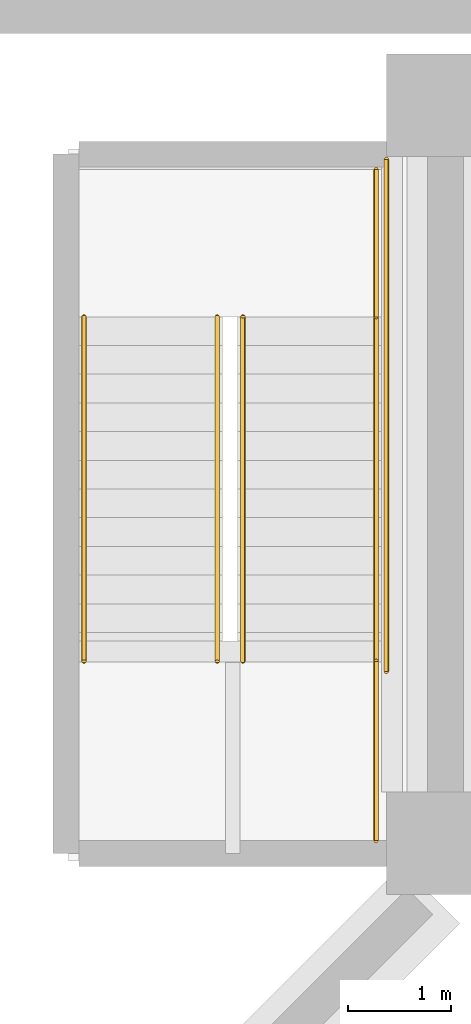
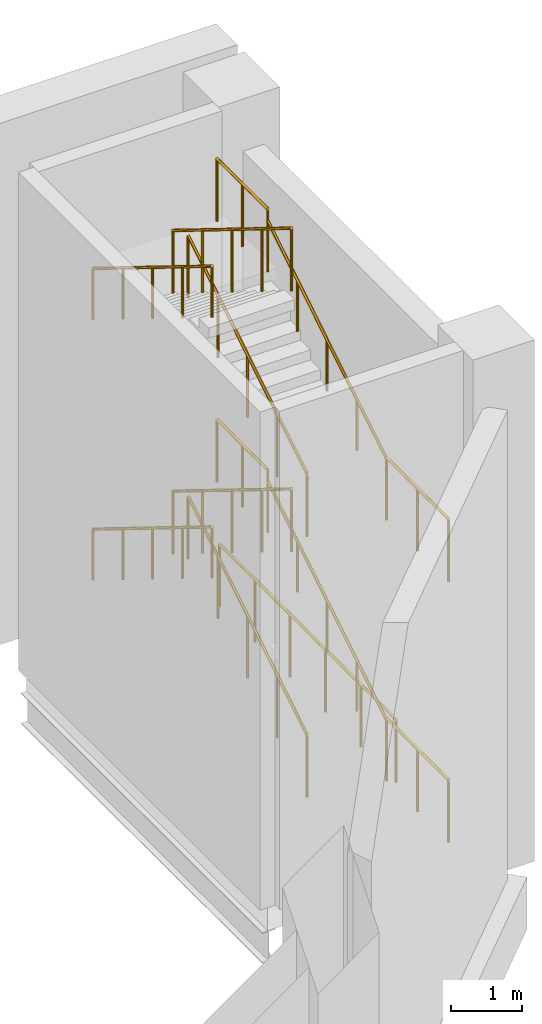
# One storey, part 21 of 23: 13 railings.
"""IFC4 building model written with IfcOpenShell, lengths in metres."""

import ifcopenshell
import ifcopenshell.guid

model = None  # the IFC model being written
_history = None  # IfcOwnerHistory: only IFC2X3 demands one
_inside = {}  # id of a spatial element -> (the spatial element, [elements in it])
_under = {}  # id of a project, library or spatial element -> (it, [spatial elements below it])
_declared = {}  # id of a project -> (the project, [libraries it declares])
_typed = {}  # id of a type object -> (the type object, [elements of that type])
_made_of = {}  # id of a material, layer set ... -> (it, [elements and type objects made of it])


def new_model(schema):
    """Start an empty IFC model of exactly this schema.

    Asked for "IFC4X3", IfcOpenShell would pick the latest addendum, in which some entities
    have other attributes; the version numbers below select the first issue.
    IFC2X3 requires an IfcOwnerHistory on every rooted entity: one is made here for all.
    """
    global model, _history
    if schema == "IFC4X3":
        model = ifcopenshell.file(schema_version=(4, 3, 0, 0))
    else:
        model = ifcopenshell.file(schema=schema)
    _inside.clear()
    _under.clear()
    _declared.clear()
    _typed.clear()
    _made_of.clear()
    _history = None
    if model.schema == "IFC2X3":
        org = make("IfcOrganization", Name="unknown")
        user = make(
            "IfcPersonAndOrganization",
            ThePerson=make("IfcPerson", FamilyName="unknown"),
            TheOrganization=org,
        )
        app = make(
            "IfcApplication",
            ApplicationDeveloper=org,
            Version="unknown",
            ApplicationFullName="unknown",
            ApplicationIdentifier="unknown",
        )
        _history = make(
            "IfcOwnerHistory",
            OwningUser=user,
            OwningApplication=app,
            ChangeAction="ADDED",
            CreationDate=0,
        )
    return model


def make(cls, **values):
    """One entity of the class cls with the attributes given. An attribute that is None is left unset."""
    return model.create_entity(
        cls, **{name: value for name, value in values.items() if value is not None}
    )


def rooted(cls, **values):
    """An entity with a GlobalId (a new one), such as an element, a storey or a relation."""
    return make(cls, GlobalId=ifcopenshell.guid.new(), OwnerHistory=_history, **values)


def si_unit(unit_type, name, prefix=None):
    """IfcSIUnit, for example si_unit("LENGTHUNIT", "METRE", prefix="MILLI")."""
    return make("IfcSIUnit", UnitType=unit_type, Prefix=prefix, Name=name)


def assignment(units):
    """IfcUnitAssignment: the units of a project."""
    return None if units is None else make("IfcUnitAssignment", Units=units)


def point(xyz):
    """IfcCartesianPoint."""
    return None if xyz is None else make("IfcCartesianPoint", Coordinates=xyz)


def direction(xyz):
    """IfcDirection."""
    return None if xyz is None else make("IfcDirection", DirectionRatios=xyz)


def frame(location, z_axis=None, x_axis=None):
    """IfcAxis2Placement3D, a coordinate frame: its origin and axes. An axis left out is left unset."""
    return make(
        "IfcAxis2Placement3D",
        Location=point(location),
        Axis=direction(z_axis),
        RefDirection=direction(x_axis),
    )


def frame_2d(location, x_axis=None):
    """IfcAxis2Placement2D, a coordinate frame in the plane: its origin and x axis."""
    return make(
        "IfcAxis2Placement2D", Location=point(location), RefDirection=direction(x_axis)
    )


def origin():
    """The frame at (0, 0, 0) with its axes left unset."""
    return frame((0.0, 0.0, 0.0))


def origin_2d():
    """The frame at (0, 0) in the plane with its x axis left unset."""
    return frame_2d((0.0, 0.0))


def place(relative_to, where):
    """IfcLocalPlacement: puts the frame where relative to a parent placement (None: the world)."""
    return make(
        "IfcLocalPlacement", PlacementRelTo=relative_to, RelativePlacement=where
    )


def context(
    kind, dimensions, precision=None, world=None, true_north=None, identifier=None
):
    """IfcGeometricRepresentationContext, for example the 3D "Model" context."""
    return make(
        "IfcGeometricRepresentationContext",
        ContextIdentifier=identifier,
        ContextType=kind,
        CoordinateSpaceDimension=dimensions,
        Precision=precision,
        WorldCoordinateSystem=world,
        TrueNorth=true_north,
    )


def subcontext(parent, identifier, kind, view, scale=None):
    """IfcGeometricRepresentationSubContext, for example "Body" below "Model"."""
    return make(
        "IfcGeometricRepresentationSubContext",
        ContextIdentifier=identifier,
        ContextType=kind,
        ParentContext=parent,
        TargetScale=scale,
        TargetView=view,
    )


def project(units=None, contexts=None):
    """IfcProject with its units and contexts."""
    return rooted(
        "IfcProject",
        Name="project",
        RepresentationContexts=contexts,
        UnitsInContext=assignment(units),
    )


def spatial(cls, under=None, at=None, **own):
    """A site, building, storey or space (cls), placed at a placement, below another one or the project."""
    s = rooted(cls, ObjectPlacement=at, **own)
    if under is not None:
        _under.setdefault(under.id(), (under, []))[1].append(s)
    return s


def profile(cls, at=None, kind="AREA", **sizes):
    """A parametric profile (cls). Its sizes go by their IFC names, for example OverallWidth=200.0."""
    return make(cls, ProfileType=kind, Position=at, **sizes)


def circle(**sizes):
    """IfcCircleProfileDef."""
    return profile("IfcCircleProfileDef", **sizes)


def extrude(swept, where, along, depth):
    """IfcExtrudedAreaSolid: the profile swept, set in the frame where, extruded along a direction by depth."""
    return make(
        "IfcExtrudedAreaSolid",
        SweptArea=swept,
        Position=where,
        ExtrudedDirection=direction(along),
        Depth=depth,
    )


def shape(context_of_items, identifier, shape_type, items):
    """IfcShapeRepresentation: the items that make up one representation, for example the "Body"."""
    return make(
        "IfcShapeRepresentation",
        ContextOfItems=context_of_items,
        RepresentationIdentifier=identifier,
        RepresentationType=shape_type,
        Items=items,
    )


def material(Name=None, Category=None):
    """IfcMaterial."""
    return make("IfcMaterial", Name=Name, Category=Category)


def made_of(thing, what):
    """Note that an element or type object is made of a material, layer set ...; save() writes the relation."""
    if what is not None:
        _made_of.setdefault(what.id(), (what, []))[1].append(thing)
    return thing


def type_object(cls, material=None, **own):
    """A type object (cls), such as IfcWallType, which elements share."""
    return made_of(rooted(cls, **own), material)


def element(
    cls,
    number,
    at=None,
    inside=None,
    cuts=None,
    type_object=None,
    material=None,
    context=None,
    identifier="Body",
    shape_type=None,
    held_by="IfcProductDefinitionShape",
    body=None,
    shapes=None,
    **own,
):
    """One element of the class cls, such as IfcWall. Its Tag is "e" and its number.

    at: its placement. inside: the storey or other place that contains it. cuts: it is an
    opening in that element (IfcRelVoidsElement). A single representation is given by context,
    identifier, shape_type and body (its items); several are given by shapes. held_by: the class
    of the entity that holds the representations. save() writes the other relations.
    """
    e = rooted(cls, Tag="e%d" % number, ObjectPlacement=at, **own)
    if body is not None:
        shapes = [shape(context, identifier, shape_type, body)]
    if shapes is not None:
        e.Representation = make(held_by, Representations=shapes)
    if inside is not None:
        _inside.setdefault(inside.id(), (inside, []))[1].append(e)
    if cuts is not None:
        rooted(
            "IfcRelVoidsElement", RelatingBuildingElement=cuts, RelatedOpeningElement=e
        )
    if type_object is not None:
        _typed.setdefault(type_object.id(), (type_object, []))[1].append(e)
    return made_of(e, material)


def aggregate(whole, parts):
    """IfcRelAggregates: a whole, such as a stair, and the parts it consists of."""
    return rooted("IfcRelAggregates", RelatingObject=whole, RelatedObjects=parts)


def save(model, path):
    """Write the relations noted so far, then the file.

    IfcRelAggregates (storeys below a building ...), IfcRelContainedInSpatialStructure (elements
    in a storey), IfcRelDefinesByType, IfcRelAssociatesMaterial and IfcRelDeclares: one each for
    every whole, place, type object, material and project.
    """
    for whole, parts in _under.values():
        aggregate(whole, parts)
    for where, things in _inside.values():
        rooted(
            "IfcRelContainedInSpatialStructure",
            RelatedElements=things,
            RelatingStructure=where,
        )
    for kind, things in _typed.values():
        rooted("IfcRelDefinesByType", RelatedObjects=things, RelatingType=kind)
    for what, things in _made_of.values():
        rooted("IfcRelAssociatesMaterial", RelatedObjects=things, RelatingMaterial=what)
    for by, libraries in _declared.values():
        rooted("IfcRelDeclares", RelatingContext=by, RelatedDefinitions=libraries)
    model.write(path)


model = new_model("IFC4")

# Units and contexts
model_context = context("Model", 3, precision=1e-05, world=origin(), true_north=direction((0.0, 1.0)))
body_context = subcontext(model_context, "Body", "Model", "MODEL_VIEW")
ifc_project = project(units=[si_unit("LENGTHUNIT", "METRE"), si_unit("AREAUNIT", "SQUARE_METRE"), si_unit("VOLUMEUNIT", "CUBIC_METRE"), si_unit("PLANEANGLEUNIT", "RADIAN"), si_unit("MASSUNIT", "GRAM", prefix="KILO")], contexts=[model_context])

# Site, building, storey
site_placement = place(None, origin())
site = spatial("IfcSite", under=ifc_project, at=site_placement, CompositionType="ELEMENT")
building_placement = place(site_placement, origin())
building = spatial("IfcBuilding", under=site, at=building_placement, Name="Isthmus Gate Tower", CompositionType="ELEMENT")
storey_placement = place(building_placement, frame((0.0, 0.0, 9.0)))
storey = spatial("IfcBuildingStorey", under=building, at=storey_placement, Name="L01", CompositionType="ELEMENT", Elevation=9.0)

# Railings
ifc_material_1 = material(Name="Painted steel balusters with timber handrail", Category="steel")
railing_type_1 = type_object("IfcRailingType", Name="Podium stair guard 1100", PredefinedType="GUARDRAIL", material=ifc_material_1)
railing_1_placement = place(storey_placement, frame((49.60009765625, -32.72509765625, 0.173095703125)))
element("IfcRailing", 1, at=railing_1_placement, inside=storey, type_object=railing_type_1, Name="L01 ST4 stair guard 1", PredefinedType="GUARDRAIL", context=body_context, shape_type="SweptSolid", body=[
    extrude(circle(Radius=0.02392578125, at=origin_2d()), frame((0.0, 0.0, 1.076171875), z_axis=(0.0, 0.850623216509, 0.525775754039), x_axis=(-1.0, 0.0, 0.0)), (0.0, 0.0, 1.0), 3.9501953125),
    extrude(circle(Radius=0.02099609375, at=origin_2d()), origin(), (0.0, 0.0, 1.0), 1.052001953125),
    extrude(circle(Radius=0.02099609375, at=origin_2d()), frame((0.0, 0.840087890625, 0.519287109375)), (0.0, 0.0, 1.0), 1.052001953125),
    extrude(circle(Radius=0.02099609375, at=origin_2d()), frame((0.0, 1.68017578125, 1.03857421875)), (0.0, 0.0, 1.0), 1.052001953125),
    extrude(circle(Radius=0.02099609375, at=origin_2d()), frame((0.0, 2.52001953125, 1.5576171875)), (0.0, 0.0, 1.0), 1.052001953125),
    extrude(circle(Radius=0.02099609375, at=origin_2d()), frame((0.0, 3.360107421875, 2.076904296875)), (0.0, 0.0, 1.0), 1.052001953125),
])
railing_2_placement = place(storey_placement, frame((50.89990234375, -29.364990234375, 2.25)))
element("IfcRailing", 2, at=railing_2_placement, inside=storey, type_object=railing_type_1, Name="L01 ST4 stair guard 2", PredefinedType="GUARDRAIL", context=body_context, shape_type="SweptSolid", body=[
    extrude(circle(Radius=0.02392578125, at=origin_2d()), frame((0.0, 0.0, 1.076171875), z_axis=(0.0, 1.0, 0.0), x_axis=(-1.0, 0.0, 0.0)), (0.0, 0.0, 1.0), 1.43603515625),
    extrude(circle(Radius=0.02099609375, at=origin_2d()), origin(), (0.0, 0.0, 1.0), 1.052001953125),
    extrude(circle(Radius=0.02099609375, at=origin_2d()), frame((0.0, 0.718017578125, 0.0)), (0.0, 0.0, 1.0), 1.052001953125),
    extrude(circle(Radius=0.02099609375, at=origin_2d()), frame((0.0, 1.43603515625, 0.0)), (0.0, 0.0, 1.0), 1.052001953125),
])
railing_3_placement = place(storey_placement, frame((49.35009765625, -29.364990234375, 2.423095703125)))
element("IfcRailing", 3, at=railing_3_placement, inside=storey, type_object=railing_type_1, Name="L01 ST4 stair guard 3", PredefinedType="GUARDRAIL", context=body_context, shape_type="SweptSolid", body=[
    extrude(circle(Radius=0.02392578125, at=origin_2d()), frame((0.0, 0.0, 1.076171875), z_axis=(0.0, -0.850623216509, 0.525775754039), x_axis=(1.0, 0.0, 0.0)), (0.0, 0.0, 1.0), 3.9501953125),
    extrude(circle(Radius=0.02099609375, at=origin_2d()), origin(), (0.0, 0.0, 1.0), 1.052001953125),
    extrude(circle(Radius=0.02099609375, at=origin_2d()), frame((0.0, -0.840087890625, 0.519287109375)), (0.0, 0.0, 1.0), 1.052001953125),
    extrude(circle(Radius=0.02099609375, at=origin_2d()), frame((0.0, -1.68017578125, 1.03857421875)), (0.0, 0.0, 1.0), 1.052001953125),
    extrude(circle(Radius=0.02099609375, at=origin_2d()), frame((0.0, -2.52001953125, 1.5576171875)), (0.0, 0.0, 1.0), 1.052001953125),
    extrude(circle(Radius=0.02099609375, at=origin_2d()), frame((0.0, -3.360107421875, 2.076904296875)), (0.0, 0.0, 1.0), 1.052001953125),
])
railing_4_placement = place(storey_placement, frame((50.89990234375, -34.47509765625, 4.5)))
element("IfcRailing", 4, at=railing_4_placement, inside=storey, type_object=railing_type_1, Name="L01 ST4 stair guard 4", PredefinedType="GUARDRAIL", context=body_context, shape_type="SweptSolid", body=[
    extrude(circle(Radius=0.02392578125, at=origin_2d()), frame((0.0, 0.0, 1.076171875), z_axis=(0.0, 1.0, 0.0), x_axis=(-1.0, 0.0, 0.0)), (0.0, 0.0, 1.0), 1.75),
    extrude(circle(Radius=0.02099609375, at=origin_2d()), origin(), (0.0, 0.0, 1.0), 1.052001953125),
    extrude(circle(Radius=0.02099609375, at=origin_2d()), frame((0.0, 0.875, 0.0)), (0.0, 0.0, 1.0), 1.052001953125),
    extrude(circle(Radius=0.02099609375, at=origin_2d()), frame((0.0, 1.75, 0.0)), (0.0, 0.0, 1.0), 1.052001953125),
])
railing_5_placement = place(storey_placement, frame((49.60009765625, -32.72509765625, 4.673095703125)))
element("IfcRailing", 5, at=railing_5_placement, inside=storey, type_object=railing_type_1, Name="L01 ST4 stair guard 5", PredefinedType="GUARDRAIL", context=body_context, shape_type="SweptSolid", body=[
    extrude(circle(Radius=0.02392578125, at=origin_2d()), frame((0.0, 0.0, 1.076171875), z_axis=(0.0, 0.850623216509, 0.525775754039), x_axis=(-1.0, 0.0, 0.0)), (0.0, 0.0, 1.0), 3.9501953125),
    extrude(circle(Radius=0.02099609375, at=origin_2d()), origin(), (0.0, 0.0, 1.0), 1.052001953125),
    extrude(circle(Radius=0.02099609375, at=origin_2d()), frame((0.0, 0.840087890625, 0.519287109375)), (0.0, 0.0, 1.0), 1.052001953125),
    extrude(circle(Radius=0.02099609375, at=origin_2d()), frame((0.0, 1.68017578125, 1.03857421875)), (0.0, 0.0, 1.0), 1.052001953125),
    extrude(circle(Radius=0.02099609375, at=origin_2d()), frame((0.0, 2.52001953125, 1.5576171875)), (0.0, 0.0, 1.0), 1.052001953125),
    extrude(circle(Radius=0.02099609375, at=origin_2d()), frame((0.0, 3.360107421875, 2.076904296875)), (0.0, 0.0, 1.0), 1.052001953125),
])
railing_6_placement = place(storey_placement, frame((50.89990234375, -29.364990234375, 6.75)))
element("IfcRailing", 6, at=railing_6_placement, inside=storey, type_object=railing_type_1, Name="L01 ST4 stair guard 6", PredefinedType="GUARDRAIL", context=body_context, shape_type="SweptSolid", body=[
    extrude(circle(Radius=0.02392578125, at=origin_2d()), frame((0.0, 0.0, 1.076171875), z_axis=(0.0, 1.0, 0.0), x_axis=(-1.0, 0.0, 0.0)), (0.0, 0.0, 1.0), 1.43603515625),
    extrude(circle(Radius=0.02099609375, at=origin_2d()), origin(), (0.0, 0.0, 1.0), 1.052001953125),
    extrude(circle(Radius=0.02099609375, at=origin_2d()), frame((0.0, 0.718017578125, 0.0)), (0.0, 0.0, 1.0), 1.052001953125),
    extrude(circle(Radius=0.02099609375, at=origin_2d()), frame((0.0, 1.43603515625, 0.0)), (0.0, 0.0, 1.0), 1.052001953125),
])
railing_7_placement = place(storey_placement, frame((49.35009765625, -29.364990234375, 6.923095703125)))
element("IfcRailing", 7, at=railing_7_placement, inside=storey, type_object=railing_type_1, Name="L01 ST4 stair guard 7", PredefinedType="GUARDRAIL", context=body_context, shape_type="SweptSolid", body=[
    extrude(circle(Radius=0.02392578125, at=origin_2d()), frame((0.0, 0.0, 1.076171875), z_axis=(0.0, -0.850623216509, 0.525775754039), x_axis=(1.0, 0.0, 0.0)), (0.0, 0.0, 1.0), 3.9501953125),
    extrude(circle(Radius=0.02099609375, at=origin_2d()), origin(), (0.0, 0.0, 1.0), 1.052001953125),
    extrude(circle(Radius=0.02099609375, at=origin_2d()), frame((0.0, -0.840087890625, 0.519287109375)), (0.0, 0.0, 1.0), 1.052001953125),
    extrude(circle(Radius=0.02099609375, at=origin_2d()), frame((0.0, -1.68017578125, 1.03857421875)), (0.0, 0.0, 1.0), 1.052001953125),
    extrude(circle(Radius=0.02099609375, at=origin_2d()), frame((0.0, -2.52001953125, 1.5576171875)), (0.0, 0.0, 1.0), 1.052001953125),
    extrude(circle(Radius=0.02099609375, at=origin_2d()), frame((0.0, -3.360107421875, 2.076904296875)), (0.0, 0.0, 1.0), 1.052001953125),
])
railing_8_placement = place(storey_placement, frame((50.89990234375, -34.47509765625, 0.0)))
element("IfcRailing", 8, at=railing_8_placement, inside=storey, type_object=railing_type_1, Name="L01 ST4 stair guard 8", PredefinedType="GUARDRAIL", context=body_context, shape_type="SweptSolid", body=[
    extrude(circle(Radius=0.02392578125, at=origin_2d()), frame((0.0, 0.0, 1.076171875), z_axis=(0.0, 1.0, 0.0), x_axis=(-1.0, 0.0, 0.0)), (0.0, 0.0, 1.0), 1.75),
    extrude(circle(Radius=0.02099609375, at=origin_2d()), origin(), (0.0, 0.0, 1.0), 1.052001953125),
    extrude(circle(Radius=0.02099609375, at=origin_2d()), frame((0.0, 0.875, 0.0)), (0.0, 0.0, 1.0), 1.052001953125),
    extrude(circle(Radius=0.02099609375, at=origin_2d()), frame((0.0, 1.75, 0.0)), (0.0, 0.0, 1.0), 1.052001953125),
])
railing_9_placement = place(storey_placement, frame((51.0, -32.824951171875, 0.0)))
element("IfcRailing", 9, at=railing_9_placement, inside=storey, type_object=railing_type_1, Name="L01 ST4 stair guard 9", PredefinedType="GUARDRAIL", context=body_context, shape_type="SweptSolid", body=[
    extrude(circle(Radius=0.02392578125, at=origin_2d()), frame((0.0, 0.0, 1.076171875), z_axis=(0.0, 1.0, 0.0), x_axis=(-1.0, 0.0, 0.0)), (0.0, 0.0, 1.0), 4.995849609375),
    extrude(circle(Radius=0.02099609375, at=origin_2d()), origin(), (0.0, 0.0, 1.0), 1.052001953125),
    extrude(circle(Radius=0.02099609375, at=origin_2d()), frame((0.0, 0.999267578125, 0.0)), (0.0, 0.0, 1.0), 1.052001953125),
    extrude(circle(Radius=0.02099609375, at=origin_2d()), frame((0.0, 1.998291015625, 0.0)), (0.0, 0.0, 1.0), 1.052001953125),
    extrude(circle(Radius=0.02099609375, at=origin_2d()), frame((0.0, 2.99755859375, 0.0)), (0.0, 0.0, 1.0), 1.052001953125),
    extrude(circle(Radius=0.02099609375, at=origin_2d()), frame((0.0, 3.99658203125, 0.0)), (0.0, 0.0, 1.0), 1.052001953125),
    extrude(circle(Radius=0.02099609375, at=origin_2d()), frame((0.0, 4.995849609375, 0.0)), (0.0, 0.0, 1.0), 1.052001953125),
])
ifc_material_2 = material(Name="Stainless steel tube", Category="steel")
railing_type_2 = type_object("IfcRailingType", Name="Podium stair handrail 900", PredefinedType="HANDRAIL", material=ifc_material_2)
railing_10_placement = place(storey_placement, frame((50.89990234375, -32.72509765625, 0.173095703125)))
element("IfcRailing", 10, at=railing_10_placement, inside=storey, type_object=railing_type_2, Name="L01 ST4 stair handrail 1", PredefinedType="HANDRAIL", context=body_context, shape_type="SweptSolid", body=[
    extrude(circle(Radius=0.02392578125, at=origin_2d()), frame((0.0, 0.0, 0.8759765625), z_axis=(0.0, 0.850623216509, 0.525775754039), x_axis=(-1.0, 0.0, 0.0)), (0.0, 0.0, 1.0), 3.9501953125),
    extrude(circle(Radius=0.02099609375, at=origin_2d()), origin(), (0.0, 0.0, 1.0), 0.851806640625),
    extrude(circle(Radius=0.02099609375, at=origin_2d()), frame((0.0, 0.840087890625, 0.519287109375)), (0.0, 0.0, 1.0), 0.851806640625),
    extrude(circle(Radius=0.02099609375, at=origin_2d()), frame((0.0, 1.68017578125, 1.03857421875)), (0.0, 0.0, 1.0), 0.851806640625),
    extrude(circle(Radius=0.02099609375, at=origin_2d()), frame((0.0, 2.52001953125, 1.5576171875)), (0.0, 0.0, 1.0), 0.851806640625),
    extrude(circle(Radius=0.02099609375, at=origin_2d()), frame((0.0, 3.360107421875, 2.076904296875)), (0.0, 0.0, 1.0), 0.851806640625),
])
railing_11_placement = place(storey_placement, frame((48.050048828125, -29.364990234375, 2.423095703125)))
element("IfcRailing", 11, at=railing_11_placement, inside=storey, type_object=railing_type_2, Name="L01 ST4 stair handrail 2", PredefinedType="HANDRAIL", context=body_context, shape_type="SweptSolid", body=[
    extrude(circle(Radius=0.02392578125, at=origin_2d()), frame((0.0, 0.0, 0.8759765625), z_axis=(0.0, -0.850623216509, 0.525775754039), x_axis=(1.0, 0.0, 0.0)), (0.0, 0.0, 1.0), 3.9501953125),
    extrude(circle(Radius=0.02099609375, at=origin_2d()), origin(), (0.0, 0.0, 1.0), 0.851806640625),
    extrude(circle(Radius=0.02099609375, at=origin_2d()), frame((0.0, -0.840087890625, 0.519287109375)), (0.0, 0.0, 1.0), 0.851806640625),
    extrude(circle(Radius=0.02099609375, at=origin_2d()), frame((0.0, -1.68017578125, 1.03857421875)), (0.0, 0.0, 1.0), 0.851806640625),
    extrude(circle(Radius=0.02099609375, at=origin_2d()), frame((0.0, -2.52001953125, 1.5576171875)), (0.0, 0.0, 1.0), 0.851806640625),
    extrude(circle(Radius=0.02099609375, at=origin_2d()), frame((0.0, -3.360107421875, 2.076904296875)), (0.0, 0.0, 1.0), 0.851806640625),
])
railing_12_placement = place(storey_placement, frame((50.89990234375, -32.72509765625, 4.673095703125)))
element("IfcRailing", 12, at=railing_12_placement, inside=storey, type_object=railing_type_2, Name="L01 ST4 stair handrail 3", PredefinedType="HANDRAIL", context=body_context, shape_type="SweptSolid", body=[
    extrude(circle(Radius=0.02392578125, at=origin_2d()), frame((0.0, 0.0, 0.8759765625), z_axis=(0.0, 0.850623216509, 0.525775754039), x_axis=(-1.0, 0.0, 0.0)), (0.0, 0.0, 1.0), 3.9501953125),
    extrude(circle(Radius=0.02099609375, at=origin_2d()), origin(), (0.0, 0.0, 1.0), 0.851806640625),
    extrude(circle(Radius=0.02099609375, at=origin_2d()), frame((0.0, 0.840087890625, 0.519287109375)), (0.0, 0.0, 1.0), 0.851806640625),
    extrude(circle(Radius=0.02099609375, at=origin_2d()), frame((0.0, 1.68017578125, 1.03857421875)), (0.0, 0.0, 1.0), 0.851806640625),
    extrude(circle(Radius=0.02099609375, at=origin_2d()), frame((0.0, 2.52001953125, 1.5576171875)), (0.0, 0.0, 1.0), 0.851806640625),
    extrude(circle(Radius=0.02099609375, at=origin_2d()), frame((0.0, 3.360107421875, 2.076904296875)), (0.0, 0.0, 1.0), 0.851806640625),
])
railing_13_placement = place(storey_placement, frame((48.050048828125, -29.364990234375, 6.923095703125)))
element("IfcRailing", 13, at=railing_13_placement, inside=storey, type_object=railing_type_2, Name="L01 ST4 stair handrail 4", PredefinedType="HANDRAIL", context=body_context, shape_type="SweptSolid", body=[
    extrude(circle(Radius=0.02392578125, at=origin_2d()), frame((0.0, 0.0, 0.8759765625), z_axis=(0.0, -0.850623216509, 0.525775754039), x_axis=(1.0, 0.0, 0.0)), (0.0, 0.0, 1.0), 3.9501953125),
    extrude(circle(Radius=0.02099609375, at=origin_2d()), origin(), (0.0, 0.0, 1.0), 0.851806640625),
    extrude(circle(Radius=0.02099609375, at=origin_2d()), frame((0.0, -0.840087890625, 0.519287109375)), (0.0, 0.0, 1.0), 0.851806640625),
    extrude(circle(Radius=0.02099609375, at=origin_2d()), frame((0.0, -1.68017578125, 1.03857421875)), (0.0, 0.0, 1.0), 0.851806640625),
    extrude(circle(Radius=0.02099609375, at=origin_2d()), frame((0.0, -2.52001953125, 1.5576171875)), (0.0, 0.0, 1.0), 0.851806640625),
    extrude(circle(Radius=0.02099609375, at=origin_2d()), frame((0.0, -3.360107421875, 2.076904296875)), (0.0, 0.0, 1.0), 0.851806640625),
])

save(model, "model.ifc")
